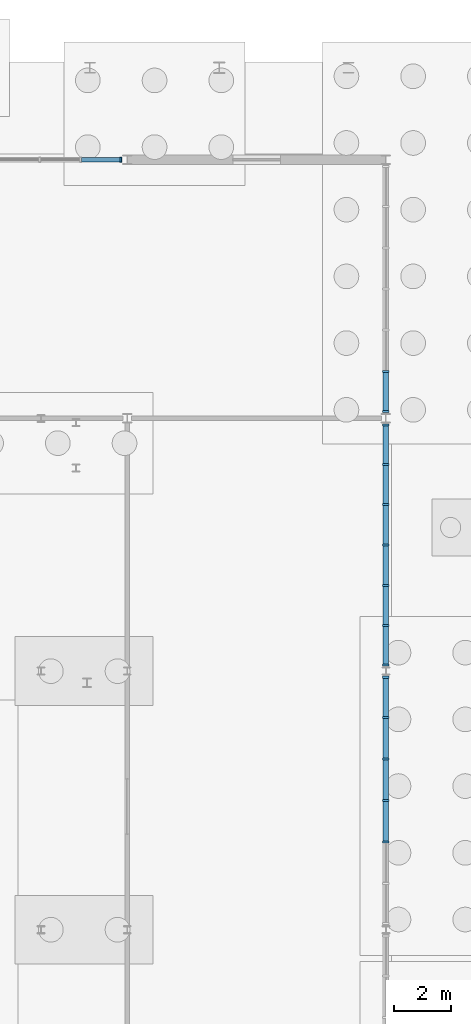
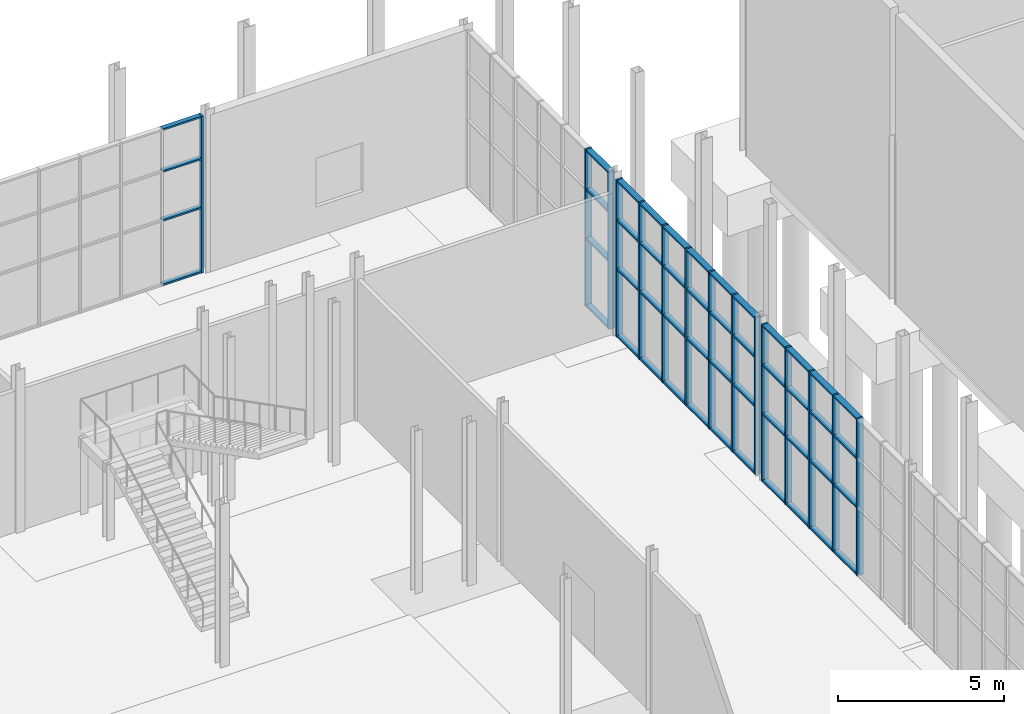
# One storey, part 71 of 131: 63 members, 4 elements without a shape of their own.
"""IFC4 building model written with IfcOpenShell, lengths in metres."""

import ifcopenshell
import ifcopenshell.guid

model = None  # the IFC model being written
_history = None  # IfcOwnerHistory: only IFC2X3 demands one
_inside = {}  # id of a spatial element -> (the spatial element, [elements in it])
_under = {}  # id of a project, library or spatial element -> (it, [spatial elements below it])
_declared = {}  # id of a project -> (the project, [libraries it declares])
_typed = {}  # id of a type object -> (the type object, [elements of that type])
_made_of = {}  # id of a material, layer set ... -> (it, [elements and type objects made of it])


def new_model(schema):
    """Start an empty IFC model of exactly this schema.

    Asked for "IFC4X3", IfcOpenShell would pick the latest addendum, in which some entities
    have other attributes; the version numbers below select the first issue.
    IFC2X3 requires an IfcOwnerHistory on every rooted entity: one is made here for all.
    """
    global model, _history
    if schema == "IFC4X3":
        model = ifcopenshell.file(schema_version=(4, 3, 0, 0))
    else:
        model = ifcopenshell.file(schema=schema)
    _inside.clear()
    _under.clear()
    _declared.clear()
    _typed.clear()
    _made_of.clear()
    _history = None
    if model.schema == "IFC2X3":
        org = make("IfcOrganization", Name="unknown")
        user = make(
            "IfcPersonAndOrganization",
            ThePerson=make("IfcPerson", FamilyName="unknown"),
            TheOrganization=org,
        )
        app = make(
            "IfcApplication",
            ApplicationDeveloper=org,
            Version="unknown",
            ApplicationFullName="unknown",
            ApplicationIdentifier="unknown",
        )
        _history = make(
            "IfcOwnerHistory",
            OwningUser=user,
            OwningApplication=app,
            ChangeAction="ADDED",
            CreationDate=0,
        )
    return model


def make(cls, **values):
    """One entity of the class cls with the attributes given. An attribute that is None is left unset."""
    return model.create_entity(
        cls, **{name: value for name, value in values.items() if value is not None}
    )


def rooted(cls, **values):
    """An entity with a GlobalId (a new one), such as an element, a storey or a relation."""
    return make(cls, GlobalId=ifcopenshell.guid.new(), OwnerHistory=_history, **values)


def si_unit(unit_type, name, prefix=None):
    """IfcSIUnit, for example si_unit("LENGTHUNIT", "METRE", prefix="MILLI")."""
    return make("IfcSIUnit", UnitType=unit_type, Prefix=prefix, Name=name)


def assignment(units):
    """IfcUnitAssignment: the units of a project."""
    return None if units is None else make("IfcUnitAssignment", Units=units)


def point(xyz):
    """IfcCartesianPoint."""
    return None if xyz is None else make("IfcCartesianPoint", Coordinates=xyz)


def direction(xyz):
    """IfcDirection."""
    return None if xyz is None else make("IfcDirection", DirectionRatios=xyz)


def frame(location, z_axis=None, x_axis=None):
    """IfcAxis2Placement3D, a coordinate frame: its origin and axes. An axis left out is left unset."""
    return make(
        "IfcAxis2Placement3D",
        Location=point(location),
        Axis=direction(z_axis),
        RefDirection=direction(x_axis),
    )


def frame_2d(location, x_axis=None):
    """IfcAxis2Placement2D, a coordinate frame in the plane: its origin and x axis."""
    return make(
        "IfcAxis2Placement2D", Location=point(location), RefDirection=direction(x_axis)
    )


def origin():
    """The frame at (0, 0, 0) with its axes left unset."""
    return frame((0.0, 0.0, 0.0))


def origin_2d():
    """The frame at (0, 0) in the plane with its x axis left unset."""
    return frame_2d((0.0, 0.0))


def place(relative_to, where):
    """IfcLocalPlacement: puts the frame where relative to a parent placement (None: the world)."""
    return make(
        "IfcLocalPlacement", PlacementRelTo=relative_to, RelativePlacement=where
    )


def context(
    kind, dimensions, precision=None, world=None, true_north=None, identifier=None
):
    """IfcGeometricRepresentationContext, for example the 3D "Model" context."""
    return make(
        "IfcGeometricRepresentationContext",
        ContextIdentifier=identifier,
        ContextType=kind,
        CoordinateSpaceDimension=dimensions,
        Precision=precision,
        WorldCoordinateSystem=world,
        TrueNorth=true_north,
    )


def subcontext(parent, identifier, kind, view, scale=None):
    """IfcGeometricRepresentationSubContext, for example "Body" below "Model"."""
    return make(
        "IfcGeometricRepresentationSubContext",
        ContextIdentifier=identifier,
        ContextType=kind,
        ParentContext=parent,
        TargetScale=scale,
        TargetView=view,
    )


def project(units=None, contexts=None):
    """IfcProject with its units and contexts."""
    return rooted(
        "IfcProject",
        Name="project",
        RepresentationContexts=contexts,
        UnitsInContext=assignment(units),
    )


def spatial(cls, under=None, at=None, **own):
    """A site, building, storey or space (cls), placed at a placement, below another one or the project."""
    s = rooted(cls, ObjectPlacement=at, **own)
    if under is not None:
        _under.setdefault(under.id(), (under, []))[1].append(s)
    return s


def profile(cls, at=None, kind="AREA", **sizes):
    """A parametric profile (cls). Its sizes go by their IFC names, for example OverallWidth=200.0."""
    return make(cls, ProfileType=kind, Position=at, **sizes)


def rectangle(**sizes):
    """IfcRectangleProfileDef."""
    return profile("IfcRectangleProfileDef", **sizes)


def extrude(swept, where, along, depth):
    """IfcExtrudedAreaSolid: the profile swept, set in the frame where, extruded along a direction by depth."""
    return make(
        "IfcExtrudedAreaSolid",
        SweptArea=swept,
        Position=where,
        ExtrudedDirection=direction(along),
        Depth=depth,
    )


def shape(context_of_items, identifier, shape_type, items):
    """IfcShapeRepresentation: the items that make up one representation, for example the "Body"."""
    return make(
        "IfcShapeRepresentation",
        ContextOfItems=context_of_items,
        RepresentationIdentifier=identifier,
        RepresentationType=shape_type,
        Items=items,
    )


def material(Name=None, Category=None):
    """IfcMaterial."""
    return make("IfcMaterial", Name=Name, Category=Category)


def layer(
    of_material, thickness, ventilated=None, Name=None, Category=None, Priority=None
):
    """IfcMaterialLayer: one layer of a wall or slab, of a material (None: an air gap)."""
    return make(
        "IfcMaterialLayer",
        Material=of_material,
        LayerThickness=thickness,
        IsVentilated=ventilated,
        Name=Name,
        Category=Category,
        Priority=Priority,
    )


def layer_set(layers, Name=None):
    """IfcMaterialLayerSet."""
    return make("IfcMaterialLayerSet", MaterialLayers=layers, LayerSetName=Name)


def material_profile(
    of_material, cross_section, Name=None, Category=None, Priority=None
):
    """IfcMaterialProfile: a cross section and its material."""
    return make(
        "IfcMaterialProfile",
        Name=Name,
        Material=of_material,
        Profile=cross_section,
        Priority=Priority,
        Category=Category,
    )


def profile_set(profiles, Name=None, composite=None):
    """IfcMaterialProfileSet."""
    return make(
        "IfcMaterialProfileSet",
        Name=Name,
        MaterialProfiles=profiles,
        CompositeProfile=composite,
    )


def made_of(thing, what):
    """Note that an element or type object is made of a material, layer set ...; save() writes the relation."""
    if what is not None:
        _made_of.setdefault(what.id(), (what, []))[1].append(thing)
    return thing


def type_object(cls, material=None, **own):
    """A type object (cls), such as IfcWallType, which elements share."""
    return made_of(rooted(cls, **own), material)


def element(
    cls,
    number,
    at=None,
    inside=None,
    cuts=None,
    type_object=None,
    material=None,
    context=None,
    identifier="Body",
    shape_type=None,
    held_by="IfcProductDefinitionShape",
    body=None,
    shapes=None,
    **own,
):
    """One element of the class cls, such as IfcWall. Its Tag is "e" and its number.

    at: its placement. inside: the storey or other place that contains it. cuts: it is an
    opening in that element (IfcRelVoidsElement). A single representation is given by context,
    identifier, shape_type and body (its items); several are given by shapes. held_by: the class
    of the entity that holds the representations. save() writes the other relations.
    """
    e = rooted(cls, Tag="e%d" % number, ObjectPlacement=at, **own)
    if body is not None:
        shapes = [shape(context, identifier, shape_type, body)]
    if shapes is not None:
        e.Representation = make(held_by, Representations=shapes)
    if inside is not None:
        _inside.setdefault(inside.id(), (inside, []))[1].append(e)
    if cuts is not None:
        rooted(
            "IfcRelVoidsElement", RelatingBuildingElement=cuts, RelatedOpeningElement=e
        )
    if type_object is not None:
        _typed.setdefault(type_object.id(), (type_object, []))[1].append(e)
    return made_of(e, material)


def aggregate(whole, parts):
    """IfcRelAggregates: a whole, such as a stair, and the parts it consists of."""
    return rooted("IfcRelAggregates", RelatingObject=whole, RelatedObjects=parts)


def save(model, path):
    """Write the relations noted so far, then the file.

    IfcRelAggregates (storeys below a building ...), IfcRelContainedInSpatialStructure (elements
    in a storey), IfcRelDefinesByType, IfcRelAssociatesMaterial and IfcRelDeclares: one each for
    every whole, place, type object, material and project.
    """
    for whole, parts in _under.values():
        aggregate(whole, parts)
    for where, things in _inside.values():
        rooted(
            "IfcRelContainedInSpatialStructure",
            RelatedElements=things,
            RelatingStructure=where,
        )
    for kind, things in _typed.values():
        rooted("IfcRelDefinesByType", RelatedObjects=things, RelatingType=kind)
    for what, things in _made_of.values():
        rooted("IfcRelAssociatesMaterial", RelatedObjects=things, RelatingMaterial=what)
    for by, libraries in _declared.values():
        rooted("IfcRelDeclares", RelatingContext=by, RelatedDefinitions=libraries)
    model.write(path)


model = new_model("IFC4")

# Units and contexts
model_context = context("Model", 3, precision=1e-05, world=origin(), true_north=direction((0.0, 1.0)))
body_context = subcontext(model_context, "Body", "Model", "MODEL_VIEW")
ifc_project = project(units=[si_unit("LENGTHUNIT", "METRE"), si_unit("AREAUNIT", "SQUARE_METRE"), si_unit("VOLUMEUNIT", "CUBIC_METRE"), si_unit("PLANEANGLEUNIT", "RADIAN"), si_unit("MASSUNIT", "GRAM", prefix="KILO")], contexts=[model_context])

# Site, building, storey
site_placement = place(None, origin())
site = spatial("IfcSite", under=ifc_project, at=site_placement, CompositionType="ELEMENT")
building_placement = place(site_placement, origin())
building = spatial("IfcBuilding", under=site, at=building_placement, Name="Cazmaro Siding Exhibition Halls", CompositionType="ELEMENT")
storey_placement = place(building_placement, origin())
storey = spatial("IfcBuildingStorey", under=building, at=storey_placement, Name="L00", CompositionType="ELEMENT", Elevation=0.0)

# Curtain wall, member
ifc_material_1 = material(Name="Anodized Bronze Aluminum and Solar-Control Low-E Glazing", Category="aluminium")
ifc_layer_1 = layer(ifc_material_1, 0.179931640625)
ifc_layer_set_1 = layer_set([ifc_layer_1], Name="Anodized Bronze Aluminum and Solar-Control Low-E Glazing")
curtain_wall_type_1 = type_object("IfcCurtainWallType", Name="CWS-01", PredefinedType="USERDEFINED", material=ifc_layer_set_1)
curtain_wall_1_placement = place(storey_placement, origin())
curtain_wall_1 = element("IfcCurtainWall", 1, at=curtain_wall_1_placement, inside=storey, type_object=curtain_wall_type_1, Name="Glazed Curtain Wall CWS-01 CW-046", ObjectType="GLAZED CURTAIN WALL", PredefinedType="USERDEFINED")
ifc_material_2 = material(Name="Anodized Bronze Extruded Aluminum", Category="aluminium")
ifc_material_profile_1 = material_profile(ifc_material_2, rectangle(XDim=0.179931640625, YDim=0.06005859375, at=origin_2d()), Name="CWM-01")
ifc_profile_set_1 = profile_set([ifc_material_profile_1], Name="Anodized Bronze Extruded Aluminum")
member_type_1 = type_object("IfcMemberType", Name="CWM-01", PredefinedType="MULLION", material=ifc_profile_set_1)
member_1_placement = place(storey_placement, frame((158.572998046875, 120.800048828125, 0.0), z_axis=(0.0, 0.0, 1.0), x_axis=(0.0, -1.0, 0.0)))
member_1 = element("IfcMember", 2, at=member_1_placement, type_object=member_type_1, Name="CWS-01 mullion 1", PredefinedType="MULLION", context=body_context, shape_type="SweptSolid", body=[
    extrude(rectangle(XDim=0.179931640625, YDim=0.06005859375, at=origin_2d()), origin(), (0.0, 0.0, 1.0), 5.780029296875),
])

# Curtain wall, members
ifc_material_3 = material(Name="Anodized Bronze Aluminum and Solar-Control Low-E Glazing", Category="aluminium")
ifc_layer_2 = layer(ifc_material_3, 0.219970703125)
ifc_layer_set_2 = layer_set([ifc_layer_2], Name="Anodized Bronze Aluminum and Solar-Control Low-E Glazing")
curtain_wall_type_2 = type_object("IfcCurtainWallType", Name="CWS-03", PredefinedType="USERDEFINED", material=ifc_layer_set_2)
curtain_wall_2_placement = place(storey_placement, origin())
curtain_wall_2 = element("IfcCurtainWall", 3, at=curtain_wall_2_placement, inside=storey, type_object=curtain_wall_type_2, Name="Glazed Curtain Wall CWS-03 CW-071", ObjectType="GLAZED CURTAIN WALL", PredefinedType="USERDEFINED")
ifc_material_4 = material(Name="Anodized Bronze Extruded Aluminum", Category="aluminium")
ifc_material_profile_2 = material_profile(ifc_material_4, rectangle(XDim=0.219970703125, YDim=0.070068359375, at=origin_2d()), Name="CWM-03")
ifc_profile_set_2 = profile_set([ifc_material_profile_2], Name="Anodized Bronze Extruded Aluminum")
member_type_2 = type_object("IfcMemberType", Name="CWM-03", PredefinedType="MULLION", material=ifc_profile_set_2)
member_2_placement = place(storey_placement, frame((167.800048828125, 97.05908203125, 0.0), z_axis=(0.0, 0.0, 1.0), x_axis=(-1.0, 0.0, 0.0)))
member_2 = element("IfcMember", 4, at=member_2_placement, type_object=member_type_2, Name="CWS-03 mullion 3", PredefinedType="MULLION", context=body_context, shape_type="SweptSolid", body=[
    extrude(rectangle(XDim=0.219970703125, YDim=0.070068359375, at=origin_2d()), origin(), (0.0, 0.0, 1.0), 5.780029296875),
])
member_3_placement = place(storey_placement, frame((167.800048828125, 98.5, 0.0), z_axis=(0.0, 0.0, 1.0), x_axis=(-1.0, 0.0, 0.0)))
member_3 = element("IfcMember", 5, at=member_3_placement, type_object=member_type_2, Name="CWS-03 mullion 4", PredefinedType="MULLION", context=body_context, shape_type="SweptSolid", body=[
    extrude(rectangle(XDim=0.219970703125, YDim=0.070068359375, at=origin_2d()), origin(), (0.0, 0.0, 1.0), 5.780029296875),
])
member_4_placement = place(storey_placement, frame((167.800048828125, 99.94091796875, 0.0), z_axis=(0.0, 0.0, 1.0), x_axis=(-1.0, 0.0, 0.0)))
member_4 = element("IfcMember", 6, at=member_4_placement, type_object=member_type_2, Name="CWS-03 mullion 5", PredefinedType="MULLION", context=body_context, shape_type="SweptSolid", body=[
    extrude(rectangle(XDim=0.219970703125, YDim=0.070068359375, at=origin_2d()), origin(), (0.0, 0.0, 1.0), 5.780029296875),
])
member_5_placement = place(storey_placement, frame((167.800048828125, 101.382080078125, 0.0), z_axis=(0.0, 0.0, 1.0), x_axis=(-1.0, 0.0, 0.0)))
member_5 = element("IfcMember", 7, at=member_5_placement, type_object=member_type_2, Name="CWS-03 mullion 6", PredefinedType="MULLION", context=body_context, shape_type="SweptSolid", body=[
    extrude(rectangle(XDim=0.219970703125, YDim=0.070068359375, at=origin_2d()), origin(), (0.0, 0.0, 1.0), 5.780029296875),
])
member_6_placement = place(storey_placement, frame((167.800048828125, 102.7880859375, 0.0), z_axis=(0.0, 0.0, 1.0), x_axis=(-1.0, 0.0, 0.0)))
member_6 = element("IfcMember", 8, at=member_6_placement, type_object=member_type_2, Name="CWS-03 mullion 7", PredefinedType="MULLION", context=body_context, shape_type="SweptSolid", body=[
    extrude(rectangle(XDim=0.219970703125, YDim=0.070068359375, at=origin_2d()), origin(), (0.0, 0.0, 1.0), 5.780029296875),
])

curtain_wall_3_placement = place(storey_placement, origin())
curtain_wall_3 = element("IfcCurtainWall", 9, at=curtain_wall_3_placement, inside=storey, type_object=curtain_wall_type_2, Name="Glazed Curtain Wall CWS-03 CW-074", ObjectType="GLAZED CURTAIN WALL", PredefinedType="USERDEFINED")
member_7_placement = place(storey_placement, frame((167.800048828125, 103.2119140625, 0.0), z_axis=(0.0, 0.0, 1.0), x_axis=(-1.0, 0.0, 0.0)))
member_7 = element("IfcMember", 10, at=member_7_placement, type_object=member_type_2, Name="CWS-03 mullion 1", PredefinedType="MULLION", context=body_context, shape_type="SweptSolid", body=[
    extrude(rectangle(XDim=0.219970703125, YDim=0.070068359375, at=origin_2d()), origin(), (0.0, 0.0, 1.0), 5.780029296875),
])
member_8_placement = place(storey_placement, frame((167.800048828125, 104.5810546875, 0.0), z_axis=(0.0, 0.0, 1.0), x_axis=(-1.0, 0.0, 0.0)))
member_8 = element("IfcMember", 11, at=member_8_placement, type_object=member_type_2, Name="CWS-03 mullion 2", PredefinedType="MULLION", context=body_context, shape_type="SweptSolid", body=[
    extrude(rectangle(XDim=0.219970703125, YDim=0.070068359375, at=origin_2d()), origin(), (0.0, 0.0, 1.0), 5.780029296875),
])
member_9_placement = place(storey_placement, frame((167.800048828125, 105.9853515625, 0.0), z_axis=(0.0, 0.0, 1.0), x_axis=(-1.0, 0.0, 0.0)))
member_9 = element("IfcMember", 12, at=member_9_placement, type_object=member_type_2, Name="CWS-03 mullion 3", PredefinedType="MULLION", context=body_context, shape_type="SweptSolid", body=[
    extrude(rectangle(XDim=0.219970703125, YDim=0.070068359375, at=origin_2d()), origin(), (0.0, 0.0, 1.0), 5.780029296875),
])
member_10_placement = place(storey_placement, frame((167.800048828125, 107.389404296875, 0.0), z_axis=(0.0, 0.0, 1.0), x_axis=(-1.0, 0.0, 0.0)))
member_10 = element("IfcMember", 13, at=member_10_placement, type_object=member_type_2, Name="CWS-03 mullion 4", PredefinedType="MULLION", context=body_context, shape_type="SweptSolid", body=[
    extrude(rectangle(XDim=0.219970703125, YDim=0.070068359375, at=origin_2d()), origin(), (0.0, 0.0, 1.0), 5.780029296875),
])
member_11_placement = place(storey_placement, frame((167.800048828125, 108.793701171875, 0.0), z_axis=(0.0, 0.0, 1.0), x_axis=(-1.0, 0.0, 0.0)))
member_11 = element("IfcMember", 14, at=member_11_placement, type_object=member_type_2, Name="CWS-03 mullion 5", PredefinedType="MULLION", context=body_context, shape_type="SweptSolid", body=[
    extrude(rectangle(XDim=0.219970703125, YDim=0.070068359375, at=origin_2d()), origin(), (0.0, 0.0, 1.0), 5.780029296875),
])
member_12_placement = place(storey_placement, frame((167.800048828125, 110.19775390625, 0.0), z_axis=(0.0, 0.0, 1.0), x_axis=(-1.0, 0.0, 0.0)))
member_12 = element("IfcMember", 15, at=member_12_placement, type_object=member_type_2, Name="CWS-03 mullion 6", PredefinedType="MULLION", context=body_context, shape_type="SweptSolid", body=[
    extrude(rectangle(XDim=0.219970703125, YDim=0.070068359375, at=origin_2d()), origin(), (0.0, 0.0, 1.0), 5.780029296875),
])
member_13_placement = place(storey_placement, frame((167.800048828125, 111.56689453125, 0.0), z_axis=(0.0, 0.0, 1.0), x_axis=(-1.0, 0.0, 0.0)))
member_13 = element("IfcMember", 16, at=member_13_placement, type_object=member_type_2, Name="CWS-03 mullion 7", PredefinedType="MULLION", context=body_context, shape_type="SweptSolid", body=[
    extrude(rectangle(XDim=0.219970703125, YDim=0.070068359375, at=origin_2d()), origin(), (0.0, 0.0, 1.0), 5.780029296875),
])

curtain_wall_4_placement = place(storey_placement, origin())
curtain_wall_4 = element("IfcCurtainWall", 17, at=curtain_wall_4_placement, inside=storey, type_object=curtain_wall_type_2, Name="Glazed Curtain Wall CWS-03 CW-077", ObjectType="GLAZED CURTAIN WALL", PredefinedType="USERDEFINED")
member_14_placement = place(storey_placement, frame((167.800048828125, 112.032958984375, 0.0), z_axis=(0.0, 0.0, 1.0), x_axis=(-1.0, 0.0, 0.0)))
member_14 = element("IfcMember", 18, at=member_14_placement, type_object=member_type_2, Name="CWS-03 mullion 1", PredefinedType="MULLION", context=body_context, shape_type="SweptSolid", body=[
    extrude(rectangle(XDim=0.219970703125, YDim=0.070068359375, at=origin_2d()), origin(), (0.0, 0.0, 1.0), 5.780029296875),
])
member_15_placement = place(storey_placement, frame((167.800048828125, 113.431884765625, 0.0), z_axis=(0.0, 0.0, 1.0), x_axis=(-1.0, 0.0, 0.0)))
member_15 = element("IfcMember", 19, at=member_15_placement, type_object=member_type_2, Name="CWS-03 mullion 2", PredefinedType="MULLION", context=body_context, shape_type="SweptSolid", body=[
    extrude(rectangle(XDim=0.219970703125, YDim=0.070068359375, at=origin_2d()), origin(), (0.0, 0.0, 1.0), 5.780029296875),
])

# Member
ifc_material_5 = material(Name="Anodized Bronze Extruded Aluminum", Category="aluminium")
ifc_material_profile_3 = material_profile(ifc_material_5, rectangle(XDim=0.159912109375, YDim=0.06005859375, at=origin_2d()), Name="CWT-01")
ifc_profile_set_3 = profile_set([ifc_material_profile_3], Name="Anodized Bronze Extruded Aluminum")
member_type_3 = type_object("IfcMemberType", Name="CWT-01", PredefinedType="MULLION", material=ifc_profile_set_3)
member_16_placement = place(storey_placement, frame((158.54296875, 120.800048828125, 0.030029296875), z_axis=(-1.0, 0.0, 0.0), x_axis=(0.0, -1.0, 0.0)))
member_16 = element("IfcMember", 20, at=member_16_placement, type_object=member_type_3, Name="CWS-01 transom 1.1", ObjectType="TRANSOM", PredefinedType="USERDEFINED", context=body_context, shape_type="SweptSolid", body=[
    extrude(rectangle(XDim=0.159912109375, YDim=0.06005859375, at=origin_2d()), origin(), (0.0, 0.0, 1.0), 1.335693359375),
])

member_17_placement = place(storey_placement, frame((158.54296875, 120.800048828125, 2.39990234375), z_axis=(-1.0, 0.0, 0.0), x_axis=(0.0, -1.0, 0.0)))
member_17 = element("IfcMember", 21, at=member_17_placement, type_object=member_type_3, Name="CWS-01 transom 1.2", ObjectType="TRANSOM", PredefinedType="USERDEFINED", context=body_context, shape_type="SweptSolid", body=[
    extrude(rectangle(XDim=0.159912109375, YDim=0.06005859375, at=origin_2d()), origin(), (0.0, 0.0, 1.0), 1.335693359375),
])

member_18_placement = place(storey_placement, frame((158.54296875, 120.800048828125, 4.199951171875), z_axis=(-1.0, 0.0, 0.0), x_axis=(0.0, -1.0, 0.0)))
member_18 = element("IfcMember", 22, at=member_18_placement, type_object=member_type_3, Name="CWS-01 transom 1.3", ObjectType="TRANSOM", PredefinedType="USERDEFINED", context=body_context, shape_type="SweptSolid", body=[
    extrude(rectangle(XDim=0.159912109375, YDim=0.06005859375, at=origin_2d()), origin(), (0.0, 0.0, 1.0), 1.335693359375),
])

member_19_placement = place(storey_placement, frame((158.54296875, 120.800048828125, 5.75), z_axis=(-1.0, 0.0, 0.0), x_axis=(0.0, -1.0, 0.0)))
member_19 = element("IfcMember", 23, at=member_19_placement, type_object=member_type_3, Name="CWS-01 transom 1.4", ObjectType="TRANSOM", PredefinedType="USERDEFINED", context=body_context, shape_type="SweptSolid", body=[
    extrude(rectangle(XDim=0.159912109375, YDim=0.06005859375, at=origin_2d()), origin(), (0.0, 0.0, 1.0), 1.335693359375),
])

aggregate(curtain_wall_1, [member_1, member_16, member_17, member_18, member_19])

ifc_material_6 = material(Name="Anodized Bronze Extruded Aluminum", Category="aluminium")
ifc_material_profile_4 = material_profile(ifc_material_6, rectangle(XDim=0.199951171875, YDim=0.070068359375, at=origin_2d()), Name="CWT-03")
ifc_profile_set_4 = profile_set([ifc_material_profile_4], Name="Anodized Bronze Extruded Aluminum")
member_type_4 = type_object("IfcMemberType", Name="CWT-03", PredefinedType="MULLION", material=ifc_profile_set_4)
member_20_placement = place(storey_placement, frame((167.800048828125, 97.093994140625, 0.034912109375), z_axis=(0.0, 1.0, 0.0), x_axis=(-1.0, 0.0, 0.0)))
member_20 = element("IfcMember", 24, at=member_20_placement, type_object=member_type_4, Name="CWS-03 transom 3.1", ObjectType="TRANSOM", PredefinedType="USERDEFINED", context=body_context, shape_type="SweptSolid", body=[
    extrude(rectangle(XDim=0.199951171875, YDim=0.070068359375, at=origin_2d()), origin(), (0.0, 0.0, 1.0), 1.37109375),
])

member_21_placement = place(storey_placement, frame((167.800048828125, 97.093994140625, 2.5), z_axis=(0.0, 1.0, 0.0), x_axis=(-1.0, 0.0, 0.0)))
member_21 = element("IfcMember", 25, at=member_21_placement, type_object=member_type_4, Name="CWS-03 transom 3.2", ObjectType="TRANSOM", PredefinedType="USERDEFINED", context=body_context, shape_type="SweptSolid", body=[
    extrude(rectangle(XDim=0.199951171875, YDim=0.070068359375, at=origin_2d()), origin(), (0.0, 0.0, 1.0), 1.37109375),
])

member_22_placement = place(storey_placement, frame((167.800048828125, 97.093994140625, 4.300048828125), z_axis=(0.0, 1.0, 0.0), x_axis=(-1.0, 0.0, 0.0)))
member_22 = element("IfcMember", 26, at=member_22_placement, type_object=member_type_4, Name="CWS-03 transom 3.3", ObjectType="TRANSOM", PredefinedType="USERDEFINED", context=body_context, shape_type="SweptSolid", body=[
    extrude(rectangle(XDim=0.199951171875, YDim=0.070068359375, at=origin_2d()), origin(), (0.0, 0.0, 1.0), 1.37109375),
])

member_23_placement = place(storey_placement, frame((167.800048828125, 97.093994140625, 5.7451171875), z_axis=(0.0, 1.0, 0.0), x_axis=(-1.0, 0.0, 0.0)))
member_23 = element("IfcMember", 27, at=member_23_placement, type_object=member_type_4, Name="CWS-03 transom 3.4", ObjectType="TRANSOM", PredefinedType="USERDEFINED", context=body_context, shape_type="SweptSolid", body=[
    extrude(rectangle(XDim=0.199951171875, YDim=0.070068359375, at=origin_2d()), origin(), (0.0, 0.0, 1.0), 1.37109375),
])

member_24_placement = place(storey_placement, frame((167.800048828125, 98.534912109375, 0.034912109375), z_axis=(0.0, 1.0, 0.0), x_axis=(-1.0, 0.0, 0.0)))
member_24 = element("IfcMember", 28, at=member_24_placement, type_object=member_type_4, Name="CWS-03 transom 4.1", ObjectType="TRANSOM", PredefinedType="USERDEFINED", context=body_context, shape_type="SweptSolid", body=[
    extrude(rectangle(XDim=0.199951171875, YDim=0.070068359375, at=origin_2d()), origin(), (0.0, 0.0, 1.0), 1.37109375),
])

member_25_placement = place(storey_placement, frame((167.800048828125, 98.534912109375, 2.5), z_axis=(0.0, 1.0, 0.0), x_axis=(-1.0, 0.0, 0.0)))
member_25 = element("IfcMember", 29, at=member_25_placement, type_object=member_type_4, Name="CWS-03 transom 4.2", ObjectType="TRANSOM", PredefinedType="USERDEFINED", context=body_context, shape_type="SweptSolid", body=[
    extrude(rectangle(XDim=0.199951171875, YDim=0.070068359375, at=origin_2d()), origin(), (0.0, 0.0, 1.0), 1.37109375),
])

member_26_placement = place(storey_placement, frame((167.800048828125, 98.534912109375, 4.300048828125), z_axis=(0.0, 1.0, 0.0), x_axis=(-1.0, 0.0, 0.0)))
member_26 = element("IfcMember", 30, at=member_26_placement, type_object=member_type_4, Name="CWS-03 transom 4.3", ObjectType="TRANSOM", PredefinedType="USERDEFINED", context=body_context, shape_type="SweptSolid", body=[
    extrude(rectangle(XDim=0.199951171875, YDim=0.070068359375, at=origin_2d()), origin(), (0.0, 0.0, 1.0), 1.37109375),
])

member_27_placement = place(storey_placement, frame((167.800048828125, 98.534912109375, 5.7451171875), z_axis=(0.0, 1.0, 0.0), x_axis=(-1.0, 0.0, 0.0)))
member_27 = element("IfcMember", 31, at=member_27_placement, type_object=member_type_4, Name="CWS-03 transom 4.4", ObjectType="TRANSOM", PredefinedType="USERDEFINED", context=body_context, shape_type="SweptSolid", body=[
    extrude(rectangle(XDim=0.199951171875, YDim=0.070068359375, at=origin_2d()), origin(), (0.0, 0.0, 1.0), 1.37109375),
])

member_28_placement = place(storey_placement, frame((167.800048828125, 99.97607421875, 0.034912109375), z_axis=(0.0, 1.0, 0.0), x_axis=(-1.0, 0.0, 0.0)))
member_28 = element("IfcMember", 32, at=member_28_placement, type_object=member_type_4, Name="CWS-03 transom 5.1", ObjectType="TRANSOM", PredefinedType="USERDEFINED", context=body_context, shape_type="SweptSolid", body=[
    extrude(rectangle(XDim=0.199951171875, YDim=0.070068359375, at=origin_2d()), origin(), (0.0, 0.0, 1.0), 1.370849609375),
])

member_29_placement = place(storey_placement, frame((167.800048828125, 99.97607421875, 2.5), z_axis=(0.0, 1.0, 0.0), x_axis=(-1.0, 0.0, 0.0)))
member_29 = element("IfcMember", 33, at=member_29_placement, type_object=member_type_4, Name="CWS-03 transom 5.2", ObjectType="TRANSOM", PredefinedType="USERDEFINED", context=body_context, shape_type="SweptSolid", body=[
    extrude(rectangle(XDim=0.199951171875, YDim=0.070068359375, at=origin_2d()), origin(), (0.0, 0.0, 1.0), 1.370849609375),
])

member_30_placement = place(storey_placement, frame((167.800048828125, 99.97607421875, 4.300048828125), z_axis=(0.0, 1.0, 0.0), x_axis=(-1.0, 0.0, 0.0)))
member_30 = element("IfcMember", 34, at=member_30_placement, type_object=member_type_4, Name="CWS-03 transom 5.3", ObjectType="TRANSOM", PredefinedType="USERDEFINED", context=body_context, shape_type="SweptSolid", body=[
    extrude(rectangle(XDim=0.199951171875, YDim=0.070068359375, at=origin_2d()), origin(), (0.0, 0.0, 1.0), 1.370849609375),
])

member_31_placement = place(storey_placement, frame((167.800048828125, 99.97607421875, 5.7451171875), z_axis=(0.0, 1.0, 0.0), x_axis=(-1.0, 0.0, 0.0)))
member_31 = element("IfcMember", 35, at=member_31_placement, type_object=member_type_4, Name="CWS-03 transom 5.4", ObjectType="TRANSOM", PredefinedType="USERDEFINED", context=body_context, shape_type="SweptSolid", body=[
    extrude(rectangle(XDim=0.199951171875, YDim=0.070068359375, at=origin_2d()), origin(), (0.0, 0.0, 1.0), 1.370849609375),
])

member_32_placement = place(storey_placement, frame((167.800048828125, 101.4169921875, 0.034912109375), z_axis=(0.0, 1.0, 0.0), x_axis=(-1.0, 0.0, 0.0)))
member_32 = element("IfcMember", 36, at=member_32_placement, type_object=member_type_4, Name="CWS-03 transom 6.1", ObjectType="TRANSOM", PredefinedType="USERDEFINED", context=body_context, shape_type="SweptSolid", body=[
    extrude(rectangle(XDim=0.199951171875, YDim=0.070068359375, at=origin_2d()), origin(), (0.0, 0.0, 1.0), 1.3359375),
])

member_33_placement = place(storey_placement, frame((167.800048828125, 101.4169921875, 2.5), z_axis=(0.0, 1.0, 0.0), x_axis=(-1.0, 0.0, 0.0)))
member_33 = element("IfcMember", 37, at=member_33_placement, type_object=member_type_4, Name="CWS-03 transom 6.2", ObjectType="TRANSOM", PredefinedType="USERDEFINED", context=body_context, shape_type="SweptSolid", body=[
    extrude(rectangle(XDim=0.199951171875, YDim=0.070068359375, at=origin_2d()), origin(), (0.0, 0.0, 1.0), 1.3359375),
])

member_34_placement = place(storey_placement, frame((167.800048828125, 101.4169921875, 4.300048828125), z_axis=(0.0, 1.0, 0.0), x_axis=(-1.0, 0.0, 0.0)))
member_34 = element("IfcMember", 38, at=member_34_placement, type_object=member_type_4, Name="CWS-03 transom 6.3", ObjectType="TRANSOM", PredefinedType="USERDEFINED", context=body_context, shape_type="SweptSolid", body=[
    extrude(rectangle(XDim=0.199951171875, YDim=0.070068359375, at=origin_2d()), origin(), (0.0, 0.0, 1.0), 1.3359375),
])

member_35_placement = place(storey_placement, frame((167.800048828125, 101.4169921875, 5.7451171875), z_axis=(0.0, 1.0, 0.0), x_axis=(-1.0, 0.0, 0.0)))
member_35 = element("IfcMember", 39, at=member_35_placement, type_object=member_type_4, Name="CWS-03 transom 6.4", ObjectType="TRANSOM", PredefinedType="USERDEFINED", context=body_context, shape_type="SweptSolid", body=[
    extrude(rectangle(XDim=0.199951171875, YDim=0.070068359375, at=origin_2d()), origin(), (0.0, 0.0, 1.0), 1.3359375),
])

aggregate(curtain_wall_2, [member_2, member_3, member_4, member_5, member_6, member_20, member_21, member_22, member_23, member_24, member_25, member_26, member_27, member_28, member_29, member_30, member_31, member_32, member_33, member_34, member_35])

member_36_placement = place(storey_placement, frame((167.800048828125, 103.2470703125, 0.034912109375), z_axis=(0.0, 1.0, 0.0), x_axis=(-1.0, 0.0, 0.0)))
member_36 = element("IfcMember", 40, at=member_36_placement, type_object=member_type_4, Name="CWS-03 transom 1.1", ObjectType="TRANSOM", PredefinedType="USERDEFINED", context=body_context, shape_type="SweptSolid", body=[
    extrude(rectangle(XDim=0.199951171875, YDim=0.070068359375, at=origin_2d()), origin(), (0.0, 0.0, 1.0), 1.299072265625),
])

member_37_placement = place(storey_placement, frame((167.800048828125, 103.2470703125, 2.5), z_axis=(0.0, 1.0, 0.0), x_axis=(-1.0, 0.0, 0.0)))
member_37 = element("IfcMember", 41, at=member_37_placement, type_object=member_type_4, Name="CWS-03 transom 1.2", ObjectType="TRANSOM", PredefinedType="USERDEFINED", context=body_context, shape_type="SweptSolid", body=[
    extrude(rectangle(XDim=0.199951171875, YDim=0.070068359375, at=origin_2d()), origin(), (0.0, 0.0, 1.0), 1.299072265625),
])

member_38_placement = place(storey_placement, frame((167.800048828125, 103.2470703125, 4.300048828125), z_axis=(0.0, 1.0, 0.0), x_axis=(-1.0, 0.0, 0.0)))
member_38 = element("IfcMember", 42, at=member_38_placement, type_object=member_type_4, Name="CWS-03 transom 1.3", ObjectType="TRANSOM", PredefinedType="USERDEFINED", context=body_context, shape_type="SweptSolid", body=[
    extrude(rectangle(XDim=0.199951171875, YDim=0.070068359375, at=origin_2d()), origin(), (0.0, 0.0, 1.0), 1.299072265625),
])

member_39_placement = place(storey_placement, frame((167.800048828125, 103.2470703125, 5.7451171875), z_axis=(0.0, 1.0, 0.0), x_axis=(-1.0, 0.0, 0.0)))
member_39 = element("IfcMember", 43, at=member_39_placement, type_object=member_type_4, Name="CWS-03 transom 1.4", ObjectType="TRANSOM", PredefinedType="USERDEFINED", context=body_context, shape_type="SweptSolid", body=[
    extrude(rectangle(XDim=0.199951171875, YDim=0.070068359375, at=origin_2d()), origin(), (0.0, 0.0, 1.0), 1.299072265625),
])

member_40_placement = place(storey_placement, frame((167.800048828125, 104.6162109375, 0.034912109375), z_axis=(0.0, 1.0, 0.0), x_axis=(-1.0, 0.0, 0.0)))
member_40 = element("IfcMember", 44, at=member_40_placement, type_object=member_type_4, Name="CWS-03 transom 2.1", ObjectType="TRANSOM", PredefinedType="USERDEFINED", context=body_context, shape_type="SweptSolid", body=[
    extrude(rectangle(XDim=0.199951171875, YDim=0.070068359375, at=origin_2d()), origin(), (0.0, 0.0, 1.0), 1.334228515625),
])

member_41_placement = place(storey_placement, frame((167.800048828125, 104.6162109375, 2.5), z_axis=(0.0, 1.0, 0.0), x_axis=(-1.0, 0.0, 0.0)))
member_41 = element("IfcMember", 45, at=member_41_placement, type_object=member_type_4, Name="CWS-03 transom 2.2", ObjectType="TRANSOM", PredefinedType="USERDEFINED", context=body_context, shape_type="SweptSolid", body=[
    extrude(rectangle(XDim=0.199951171875, YDim=0.070068359375, at=origin_2d()), origin(), (0.0, 0.0, 1.0), 1.334228515625),
])

member_42_placement = place(storey_placement, frame((167.800048828125, 104.6162109375, 4.300048828125), z_axis=(0.0, 1.0, 0.0), x_axis=(-1.0, 0.0, 0.0)))
member_42 = element("IfcMember", 46, at=member_42_placement, type_object=member_type_4, Name="CWS-03 transom 2.3", ObjectType="TRANSOM", PredefinedType="USERDEFINED", context=body_context, shape_type="SweptSolid", body=[
    extrude(rectangle(XDim=0.199951171875, YDim=0.070068359375, at=origin_2d()), origin(), (0.0, 0.0, 1.0), 1.334228515625),
])

member_43_placement = place(storey_placement, frame((167.800048828125, 104.6162109375, 5.7451171875), z_axis=(0.0, 1.0, 0.0), x_axis=(-1.0, 0.0, 0.0)))
member_43 = element("IfcMember", 47, at=member_43_placement, type_object=member_type_4, Name="CWS-03 transom 2.4", ObjectType="TRANSOM", PredefinedType="USERDEFINED", context=body_context, shape_type="SweptSolid", body=[
    extrude(rectangle(XDim=0.199951171875, YDim=0.070068359375, at=origin_2d()), origin(), (0.0, 0.0, 1.0), 1.334228515625),
])

member_44_placement = place(storey_placement, frame((167.800048828125, 106.020263671875, 0.034912109375), z_axis=(0.0, 1.0, 0.0), x_axis=(-1.0, 0.0, 0.0)))
member_44 = element("IfcMember", 48, at=member_44_placement, type_object=member_type_4, Name="CWS-03 transom 3.1", ObjectType="TRANSOM", PredefinedType="USERDEFINED", context=body_context, shape_type="SweptSolid", body=[
    extrude(rectangle(XDim=0.199951171875, YDim=0.070068359375, at=origin_2d()), origin(), (0.0, 0.0, 1.0), 1.334228515625),
])

member_45_placement = place(storey_placement, frame((167.800048828125, 106.020263671875, 2.5), z_axis=(0.0, 1.0, 0.0), x_axis=(-1.0, 0.0, 0.0)))
member_45 = element("IfcMember", 49, at=member_45_placement, type_object=member_type_4, Name="CWS-03 transom 3.2", ObjectType="TRANSOM", PredefinedType="USERDEFINED", context=body_context, shape_type="SweptSolid", body=[
    extrude(rectangle(XDim=0.199951171875, YDim=0.070068359375, at=origin_2d()), origin(), (0.0, 0.0, 1.0), 1.334228515625),
])

member_46_placement = place(storey_placement, frame((167.800048828125, 106.020263671875, 4.300048828125), z_axis=(0.0, 1.0, 0.0), x_axis=(-1.0, 0.0, 0.0)))
member_46 = element("IfcMember", 50, at=member_46_placement, type_object=member_type_4, Name="CWS-03 transom 3.3", ObjectType="TRANSOM", PredefinedType="USERDEFINED", context=body_context, shape_type="SweptSolid", body=[
    extrude(rectangle(XDim=0.199951171875, YDim=0.070068359375, at=origin_2d()), origin(), (0.0, 0.0, 1.0), 1.334228515625),
])

member_47_placement = place(storey_placement, frame((167.800048828125, 106.020263671875, 5.7451171875), z_axis=(0.0, 1.0, 0.0), x_axis=(-1.0, 0.0, 0.0)))
member_47 = element("IfcMember", 51, at=member_47_placement, type_object=member_type_4, Name="CWS-03 transom 3.4", ObjectType="TRANSOM", PredefinedType="USERDEFINED", context=body_context, shape_type="SweptSolid", body=[
    extrude(rectangle(XDim=0.199951171875, YDim=0.070068359375, at=origin_2d()), origin(), (0.0, 0.0, 1.0), 1.334228515625),
])

member_48_placement = place(storey_placement, frame((167.800048828125, 107.424560546875, 0.034912109375), z_axis=(0.0, 1.0, 0.0), x_axis=(-1.0, 0.0, 0.0)))
member_48 = element("IfcMember", 52, at=member_48_placement, type_object=member_type_4, Name="CWS-03 transom 4.1", ObjectType="TRANSOM", PredefinedType="USERDEFINED", context=body_context, shape_type="SweptSolid", body=[
    extrude(rectangle(XDim=0.199951171875, YDim=0.070068359375, at=origin_2d()), origin(), (0.0, 0.0, 1.0), 1.333984375),
])

member_49_placement = place(storey_placement, frame((167.800048828125, 107.424560546875, 2.5), z_axis=(0.0, 1.0, 0.0), x_axis=(-1.0, 0.0, 0.0)))
member_49 = element("IfcMember", 53, at=member_49_placement, type_object=member_type_4, Name="CWS-03 transom 4.2", ObjectType="TRANSOM", PredefinedType="USERDEFINED", context=body_context, shape_type="SweptSolid", body=[
    extrude(rectangle(XDim=0.199951171875, YDim=0.070068359375, at=origin_2d()), origin(), (0.0, 0.0, 1.0), 1.333984375),
])

member_50_placement = place(storey_placement, frame((167.800048828125, 107.424560546875, 4.300048828125), z_axis=(0.0, 1.0, 0.0), x_axis=(-1.0, 0.0, 0.0)))
member_50 = element("IfcMember", 54, at=member_50_placement, type_object=member_type_4, Name="CWS-03 transom 4.3", ObjectType="TRANSOM", PredefinedType="USERDEFINED", context=body_context, shape_type="SweptSolid", body=[
    extrude(rectangle(XDim=0.199951171875, YDim=0.070068359375, at=origin_2d()), origin(), (0.0, 0.0, 1.0), 1.333984375),
])

member_51_placement = place(storey_placement, frame((167.800048828125, 107.424560546875, 5.7451171875), z_axis=(0.0, 1.0, 0.0), x_axis=(-1.0, 0.0, 0.0)))
member_51 = element("IfcMember", 55, at=member_51_placement, type_object=member_type_4, Name="CWS-03 transom 4.4", ObjectType="TRANSOM", PredefinedType="USERDEFINED", context=body_context, shape_type="SweptSolid", body=[
    extrude(rectangle(XDim=0.199951171875, YDim=0.070068359375, at=origin_2d()), origin(), (0.0, 0.0, 1.0), 1.333984375),
])

member_52_placement = place(storey_placement, frame((167.800048828125, 108.82861328125, 0.034912109375), z_axis=(0.0, 1.0, 0.0), x_axis=(-1.0, 0.0, 0.0)))
member_52 = element("IfcMember", 56, at=member_52_placement, type_object=member_type_4, Name="CWS-03 transom 5.1", ObjectType="TRANSOM", PredefinedType="USERDEFINED", context=body_context, shape_type="SweptSolid", body=[
    extrude(rectangle(XDim=0.199951171875, YDim=0.070068359375, at=origin_2d()), origin(), (0.0, 0.0, 1.0), 1.334228515625),
])

member_53_placement = place(storey_placement, frame((167.800048828125, 108.82861328125, 2.5), z_axis=(0.0, 1.0, 0.0), x_axis=(-1.0, 0.0, 0.0)))
member_53 = element("IfcMember", 57, at=member_53_placement, type_object=member_type_4, Name="CWS-03 transom 5.2", ObjectType="TRANSOM", PredefinedType="USERDEFINED", context=body_context, shape_type="SweptSolid", body=[
    extrude(rectangle(XDim=0.199951171875, YDim=0.070068359375, at=origin_2d()), origin(), (0.0, 0.0, 1.0), 1.334228515625),
])

member_54_placement = place(storey_placement, frame((167.800048828125, 108.82861328125, 4.300048828125), z_axis=(0.0, 1.0, 0.0), x_axis=(-1.0, 0.0, 0.0)))
member_54 = element("IfcMember", 58, at=member_54_placement, type_object=member_type_4, Name="CWS-03 transom 5.3", ObjectType="TRANSOM", PredefinedType="USERDEFINED", context=body_context, shape_type="SweptSolid", body=[
    extrude(rectangle(XDim=0.199951171875, YDim=0.070068359375, at=origin_2d()), origin(), (0.0, 0.0, 1.0), 1.334228515625),
])

member_55_placement = place(storey_placement, frame((167.800048828125, 108.82861328125, 5.7451171875), z_axis=(0.0, 1.0, 0.0), x_axis=(-1.0, 0.0, 0.0)))
member_55 = element("IfcMember", 59, at=member_55_placement, type_object=member_type_4, Name="CWS-03 transom 5.4", ObjectType="TRANSOM", PredefinedType="USERDEFINED", context=body_context, shape_type="SweptSolid", body=[
    extrude(rectangle(XDim=0.199951171875, YDim=0.070068359375, at=origin_2d()), origin(), (0.0, 0.0, 1.0), 1.334228515625),
])

member_56_placement = place(storey_placement, frame((167.800048828125, 110.23291015625, 0.034912109375), z_axis=(0.0, 1.0, 0.0), x_axis=(-1.0, 0.0, 0.0)))
member_56 = element("IfcMember", 60, at=member_56_placement, type_object=member_type_4, Name="CWS-03 transom 6.1", ObjectType="TRANSOM", PredefinedType="USERDEFINED", context=body_context, shape_type="SweptSolid", body=[
    extrude(rectangle(XDim=0.199951171875, YDim=0.070068359375, at=origin_2d()), origin(), (0.0, 0.0, 1.0), 1.299072265625),
])

member_57_placement = place(storey_placement, frame((167.800048828125, 110.23291015625, 2.5), z_axis=(0.0, 1.0, 0.0), x_axis=(-1.0, 0.0, 0.0)))
member_57 = element("IfcMember", 61, at=member_57_placement, type_object=member_type_4, Name="CWS-03 transom 6.2", ObjectType="TRANSOM", PredefinedType="USERDEFINED", context=body_context, shape_type="SweptSolid", body=[
    extrude(rectangle(XDim=0.199951171875, YDim=0.070068359375, at=origin_2d()), origin(), (0.0, 0.0, 1.0), 1.299072265625),
])

member_58_placement = place(storey_placement, frame((167.800048828125, 110.23291015625, 4.300048828125), z_axis=(0.0, 1.0, 0.0), x_axis=(-1.0, 0.0, 0.0)))
member_58 = element("IfcMember", 62, at=member_58_placement, type_object=member_type_4, Name="CWS-03 transom 6.3", ObjectType="TRANSOM", PredefinedType="USERDEFINED", context=body_context, shape_type="SweptSolid", body=[
    extrude(rectangle(XDim=0.199951171875, YDim=0.070068359375, at=origin_2d()), origin(), (0.0, 0.0, 1.0), 1.299072265625),
])

member_59_placement = place(storey_placement, frame((167.800048828125, 110.23291015625, 5.7451171875), z_axis=(0.0, 1.0, 0.0), x_axis=(-1.0, 0.0, 0.0)))
member_59 = element("IfcMember", 63, at=member_59_placement, type_object=member_type_4, Name="CWS-03 transom 6.4", ObjectType="TRANSOM", PredefinedType="USERDEFINED", context=body_context, shape_type="SweptSolid", body=[
    extrude(rectangle(XDim=0.199951171875, YDim=0.070068359375, at=origin_2d()), origin(), (0.0, 0.0, 1.0), 1.299072265625),
])

aggregate(curtain_wall_3, [member_7, member_8, member_9, member_10, member_11, member_12, member_13, member_36, member_37, member_38, member_39, member_40, member_41, member_42, member_43, member_44, member_45, member_46, member_47, member_48, member_49, member_50, member_51, member_52, member_53, member_54, member_55, member_56, member_57, member_58, member_59])

member_60_placement = place(storey_placement, frame((167.800048828125, 112.068115234375, 0.034912109375), z_axis=(0.0, 1.0, 0.0), x_axis=(-1.0, 0.0, 0.0)))
member_60 = element("IfcMember", 64, at=member_60_placement, type_object=member_type_4, Name="CWS-03 transom 1.1", ObjectType="TRANSOM", PredefinedType="USERDEFINED", context=body_context, shape_type="SweptSolid", body=[
    extrude(rectangle(XDim=0.199951171875, YDim=0.070068359375, at=origin_2d()), origin(), (0.0, 0.0, 1.0), 1.328857421875),
])

member_61_placement = place(storey_placement, frame((167.800048828125, 112.068115234375, 2.5), z_axis=(0.0, 1.0, 0.0), x_axis=(-1.0, 0.0, 0.0)))
member_61 = element("IfcMember", 65, at=member_61_placement, type_object=member_type_4, Name="CWS-03 transom 1.2", ObjectType="TRANSOM", PredefinedType="USERDEFINED", context=body_context, shape_type="SweptSolid", body=[
    extrude(rectangle(XDim=0.199951171875, YDim=0.070068359375, at=origin_2d()), origin(), (0.0, 0.0, 1.0), 1.328857421875),
])

member_62_placement = place(storey_placement, frame((167.800048828125, 112.068115234375, 4.300048828125), z_axis=(0.0, 1.0, 0.0), x_axis=(-1.0, 0.0, 0.0)))
member_62 = element("IfcMember", 66, at=member_62_placement, type_object=member_type_4, Name="CWS-03 transom 1.3", ObjectType="TRANSOM", PredefinedType="USERDEFINED", context=body_context, shape_type="SweptSolid", body=[
    extrude(rectangle(XDim=0.199951171875, YDim=0.070068359375, at=origin_2d()), origin(), (0.0, 0.0, 1.0), 1.328857421875),
])

member_63_placement = place(storey_placement, frame((167.800048828125, 112.068115234375, 5.7451171875), z_axis=(0.0, 1.0, 0.0), x_axis=(-1.0, 0.0, 0.0)))
member_63 = element("IfcMember", 67, at=member_63_placement, type_object=member_type_4, Name="CWS-03 transom 1.4", ObjectType="TRANSOM", PredefinedType="USERDEFINED", context=body_context, shape_type="SweptSolid", body=[
    extrude(rectangle(XDim=0.199951171875, YDim=0.070068359375, at=origin_2d()), origin(), (0.0, 0.0, 1.0), 1.328857421875),
])

aggregate(curtain_wall_4, [member_14, member_15, member_60, member_61, member_62, member_63])

save(model, "model.ifc")
